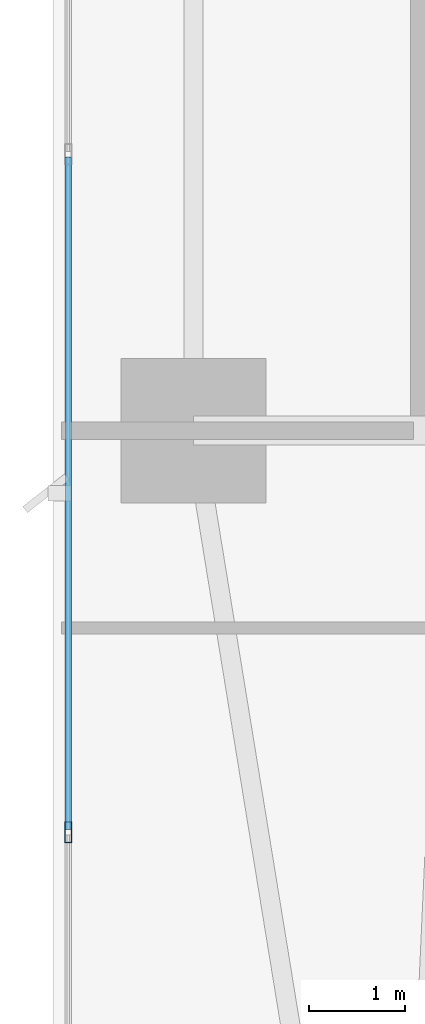
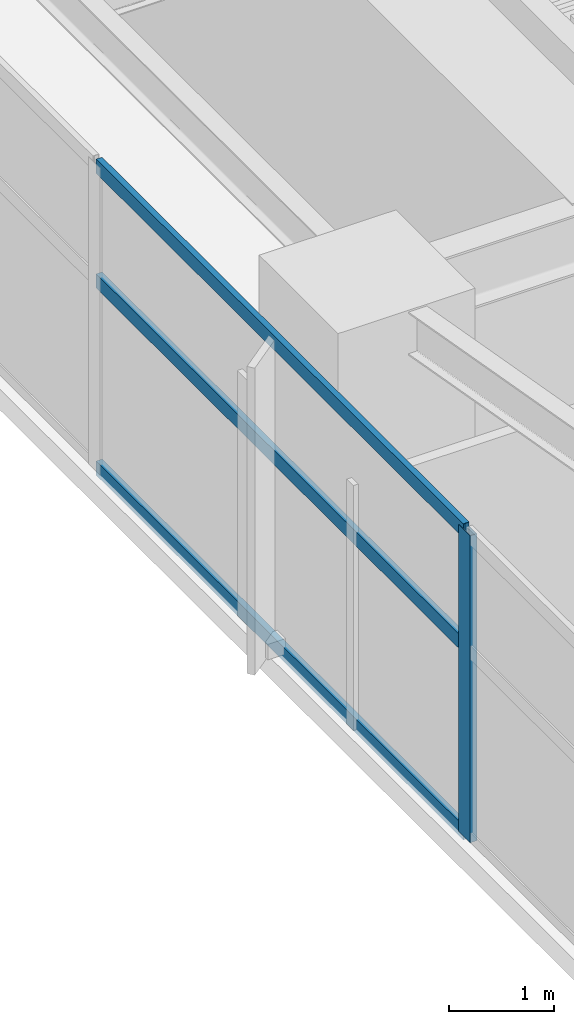
# One storey, part 4 of 29: 4 members, 1 element without a shape of its own.
"""IFC4 building model written with IfcOpenShell, lengths in metres."""

from ifc_helpers import new_model, si_unit, direction, frame, origin, origin_2d, place, context, subcontext, project, spatial, hollow_rectangle, extrude, material, layer, layer_set, material_profile, profile_set, type_object, element, aggregate, save


model = new_model("IFC4")

# Units and contexts
model_context = context("Model", 3, precision=1e-05, world=origin(), true_north=direction((0.0, 1.0)))
body_context = subcontext(model_context, "Body", "Model", "MODEL_VIEW")
ifc_project = project(units=[si_unit("LENGTHUNIT", "METRE"), si_unit("AREAUNIT", "SQUARE_METRE"), si_unit("VOLUMEUNIT", "CUBIC_METRE"), si_unit("PLANEANGLEUNIT", "RADIAN"), si_unit("MASSUNIT", "GRAM", prefix="KILO")], contexts=[model_context])

# Site, building, storey
site_placement = place(None, origin())
site = spatial("IfcSite", under=ifc_project, at=site_placement, CompositionType="ELEMENT")
building_placement = place(site_placement, origin())
building = spatial("IfcBuilding", under=site, at=building_placement, Name="Calvorn Quay Hotel", CompositionType="ELEMENT")
storey_placement = place(building_placement, frame((0.0, 0.0, 58.39990234375)))
storey = spatial("IfcBuildingStorey", under=building, at=storey_placement, Name="L13", CompositionType="ELEMENT", Elevation=58.39990234375)

# Curtain wall, members
ifc_material_1 = material(Name="Pale Anodised Aluminium and Low-E Glass", Category="aluminium")
ifc_layer = layer(ifc_material_1, 0.219970703125)
ifc_layer_set = layer_set([ifc_layer], Name="CW-SYS-Z1")
curtain_wall_type = type_object("IfcCurtainWallType", Name="CW-SYS-Z1", PredefinedType="NOTDEFINED", material=ifc_layer_set)
curtain_wall_placement = place(storey_placement, origin())
curtain_wall = element("IfcCurtainWall", 1, at=curtain_wall_placement, inside=storey, type_object=curtain_wall_type, Name="Tower West Curtain Wall (L13)", PredefinedType="NOTDEFINED")
ifc_material_2 = material(Name="Pale Anodised Aluminium 6063-T6", Category="aluminium")
ifc_material_profile_1 = material_profile(ifc_material_2, hollow_rectangle(XDim=0.074951171875, YDim=0.219970703125, WallThickness=0.00439453125, at=origin_2d()), Name="ALU-M220x75x4.5")
ifc_profile_set_1 = profile_set([ifc_material_profile_1], Name="Pale Anodised Aluminium 6063-T6")
member_type_1 = type_object("IfcMemberType", Name="CW-SYS-Z1-MUL", PredefinedType="MULLION", material=ifc_profile_set_1)
member_1_placement = place(storey_placement, frame((0.14990234375, 12.63330078125, 0.0), z_axis=(0.0, 0.0, 1.0), x_axis=(-1.0, 0.0, 0.0)))
member_1 = element("IfcMember", 2, at=member_1_placement, type_object=member_type_1, Name="CW-L13-W mullion 2", PredefinedType="MULLION", context=body_context, shape_type="SweptSolid", body=[
    extrude(hollow_rectangle(XDim=0.074951171875, YDim=0.219970703125, WallThickness=0.00439453125, at=origin_2d()), origin(), (0.0, 0.0, 1.0), 3.56005859375),
])
ifc_material_3 = material(Name="Pale Anodised Aluminium 6063-T6", Category="aluminium")
ifc_material_profile_2 = material_profile(ifc_material_3, hollow_rectangle(XDim=0.06494140625, YDim=0.1650390625, WallThickness=0.00341796875, at=origin_2d()), Name="ALU-T165x65x3.5")
ifc_profile_set_2 = profile_set([ifc_material_profile_2], Name="Pale Anodised Aluminium 6063-T6")
member_type_2 = type_object("IfcMemberType", Name="CW-SYS-Z1-TRN", PredefinedType="USERDEFINED", material=ifc_profile_set_2)
member_2_placement = place(storey_placement, frame((0.14990234375, 12.663330078125, 0.030029296875), z_axis=(0.0, 1.0, 0.0), x_axis=(-1.0, 0.0, 0.0)))
member_2 = element("IfcMember", 3, at=member_2_placement, type_object=member_type_2, Name="CW-L13-W transom 2.1", ObjectType="TRANSOM", PredefinedType="USERDEFINED", context=body_context, shape_type="SweptSolid", body=[
    extrude(hollow_rectangle(XDim=0.06494140625, YDim=0.1650390625, WallThickness=0.00341796875, at=origin_2d()), origin(), (0.0, 0.0, 1.0), 6.973388671875),
])
member_3_placement = place(storey_placement, frame((0.14990234375, 12.663330078125, 2.2001953125), z_axis=(0.0, 1.0, 0.0), x_axis=(-1.0, 0.0, 0.0)))
member_3 = element("IfcMember", 4, at=member_3_placement, type_object=member_type_2, Name="CW-L13-W transom 2.2", ObjectType="TRANSOM", PredefinedType="USERDEFINED", context=body_context, shape_type="SweptSolid", body=[
    extrude(hollow_rectangle(XDim=0.06494140625, YDim=0.1650390625, WallThickness=0.00341796875, at=origin_2d()), origin(), (0.0, 0.0, 1.0), 6.973388671875),
])
member_4_placement = place(storey_placement, frame((0.14990234375, 12.663330078125, 3.530029296875), z_axis=(0.0, 1.0, 0.0), x_axis=(-1.0, 0.0, 0.0)))
member_4 = element("IfcMember", 5, at=member_4_placement, type_object=member_type_2, Name="CW-L13-W transom 2.3", ObjectType="TRANSOM", PredefinedType="USERDEFINED", context=body_context, shape_type="SweptSolid", body=[
    extrude(hollow_rectangle(XDim=0.06494140625, YDim=0.1650390625, WallThickness=0.00341796875, at=origin_2d()), origin(), (0.0, 0.0, 1.0), 6.973388671875),
])
aggregate(curtain_wall, [member_1, member_2, member_3, member_4])

save(model, "model.ifc")
